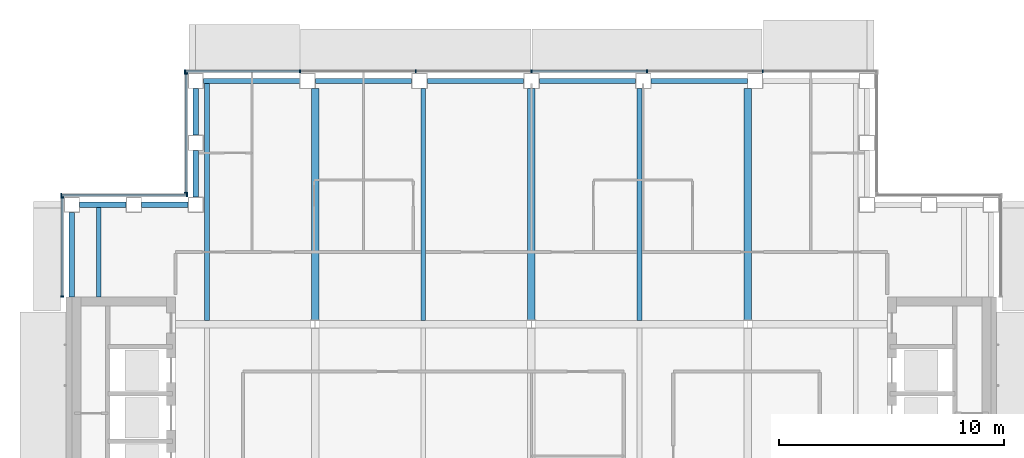
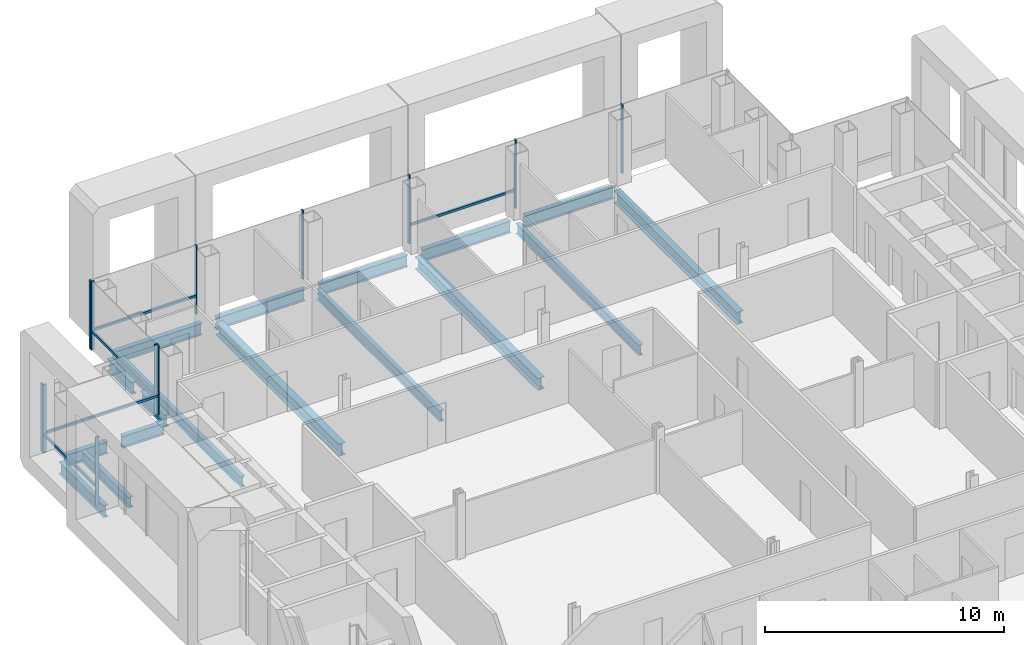
# One storey, part 6 of 19: 17 beams, 17 members, 4 elements without a shape of their own.
"""IFC4 building model written with IfcOpenShell, lengths in metres."""

from ifc_helpers import new_model, si_unit, direction, frame, origin, origin_2d, place, context, subcontext, project, spatial, rectangle, i_section, extrude, material, material_profile, profile_set, type_object, element, aggregate, save


model = new_model("IFC4")

# Units and contexts
model_context = context("Model", 3, precision=1e-05, world=origin(), true_north=direction((0.0, 1.0)))
body_context = subcontext(model_context, "Body", "Model", "MODEL_VIEW")
ifc_project = project(units=[si_unit("LENGTHUNIT", "METRE"), si_unit("AREAUNIT", "SQUARE_METRE"), si_unit("VOLUMEUNIT", "CUBIC_METRE"), si_unit("PLANEANGLEUNIT", "RADIAN"), si_unit("MASSUNIT", "GRAM", prefix="KILO")], contexts=[model_context])

# Site, building, storey
site_placement = place(None, origin())
site = spatial("IfcSite", under=ifc_project, at=site_placement, CompositionType="ELEMENT")
building_placement = place(site_placement, origin())
building = spatial("IfcBuilding", under=site, at=building_placement, Name="Cobrizo Arcos Hotel Tower", CompositionType="ELEMENT")
storey_placement = place(building_placement, frame((0.0, 0.0, 198.0)))
storey = spatial("IfcBuildingStorey", under=building, at=storey_placement, Name="L51", CompositionType="ELEMENT", Elevation=198.0)

# Curtain wall, members
ifc_material_1 = material(Name="Aluminium 6063-T6 anodised bronze", Category="aluminium")
curtain_wall_type = type_object("IfcCurtainWallType", Name="CW-A guest facade", PredefinedType="NOTDEFINED", material=ifc_material_1)
curtain_wall_1_placement = place(storey_placement, origin())
curtain_wall_1 = element("IfcCurtainWall", 1, at=curtain_wall_1_placement, inside=storey, type_object=curtain_wall_type, Name="CW-A L51 N face", PredefinedType="NOTDEFINED")
ifc_material_profile_1 = material_profile(ifc_material_1, rectangle(XDim=0.14990234375, YDim=0.06005859375, at=origin_2d()), Name="CW-A mullion 150x60")
ifc_profile_set_1 = profile_set([ifc_material_profile_1], Name="Aluminium 6063-T6 anodised bronze")
member_type_1 = type_object("IfcMemberType", Name="CW-A mullion 150x60", PredefinedType="MULLION", material=ifc_profile_set_1)
member_1_placement = place(storey_placement, frame((10.2666015625, 20.824951171875, 0.0), z_axis=(0.0, 0.0, 1.0), x_axis=(0.0, 1.0, 0.0)))
member_1 = element("IfcMember", 2, at=member_1_placement, type_object=member_type_1, Name="CW-A mullion 2", PredefinedType="MULLION", context=body_context, shape_type="SweptSolid", body=[
    extrude(rectangle(XDim=0.14990234375, YDim=0.06005859375, at=origin_2d()), origin(), (0.0, 0.0, 1.0), 3.5),
])
member_2_placement = place(storey_placement, frame((5.13330078125, 20.824951171875, 0.0), z_axis=(0.0, 0.0, 1.0), x_axis=(0.0, 1.0, 0.0)))
member_2 = element("IfcMember", 3, at=member_2_placement, type_object=member_type_1, Name="CW-A mullion 3", PredefinedType="MULLION", context=body_context, shape_type="SweptSolid", body=[
    extrude(rectangle(XDim=0.14990234375, YDim=0.06005859375, at=origin_2d()), origin(), (0.0, 0.0, 1.0), 3.5),
])
member_3_placement = place(storey_placement, frame((0.0, 20.824951171875, 0.0), z_axis=(0.0, 0.0, 1.0), x_axis=(0.0, 1.0, 0.0)))
member_3 = element("IfcMember", 4, at=member_3_placement, type_object=member_type_1, Name="CW-A mullion 4", PredefinedType="MULLION", context=body_context, shape_type="SweptSolid", body=[
    extrude(rectangle(XDim=0.14990234375, YDim=0.06005859375, at=origin_2d()), origin(), (0.0, 0.0, 1.0), 3.5),
])
member_4_placement = place(storey_placement, frame((-5.13330078125, 20.824951171875, 0.0), z_axis=(0.0, 0.0, 1.0), x_axis=(0.0, 1.0, 0.0)))
member_4 = element("IfcMember", 5, at=member_4_placement, type_object=member_type_1, Name="CW-A mullion 5", PredefinedType="MULLION", context=body_context, shape_type="SweptSolid", body=[
    extrude(rectangle(XDim=0.14990234375, YDim=0.06005859375, at=origin_2d()), origin(), (0.0, 0.0, 1.0), 3.5),
])
member_5_placement = place(storey_placement, frame((-10.2666015625, 20.824951171875, 0.0), z_axis=(0.0, 0.0, 1.0), x_axis=(0.0, 1.0, 0.0)))
member_5 = element("IfcMember", 6, at=member_5_placement, type_object=member_type_1, Name="CW-A mullion 6", PredefinedType="MULLION", context=body_context, shape_type="SweptSolid", body=[
    extrude(rectangle(XDim=0.14990234375, YDim=0.06005859375, at=origin_2d()), origin(), (0.0, 0.0, 1.0), 3.5),
])
member_6_placement = place(storey_placement, frame((-15.3701171875, 20.824951171875, 0.0), z_axis=(0.0, 0.0, 1.0), x_axis=(0.0, 1.0, 0.0)))
member_6 = element("IfcMember", 7, at=member_6_placement, type_object=member_type_1, Name="CW-A mullion 7", PredefinedType="MULLION", context=body_context, shape_type="SweptSolid", body=[
    extrude(rectangle(XDim=0.14990234375, YDim=0.06005859375, at=origin_2d()), origin(), (0.0, 0.0, 1.0), 3.5),
])

curtain_wall_2_placement = place(storey_placement, origin())
curtain_wall_2 = element("IfcCurtainWall", 8, at=curtain_wall_2_placement, inside=storey, type_object=curtain_wall_type, Name="CW-A L51 W face", PredefinedType="NOTDEFINED")
member_7_placement = place(storey_placement, frame((-15.324951171875, 20.719970703125, 0.0), z_axis=(0.0, 0.0, 1.0), x_axis=(-1.0, 0.0, 0.0)))
member_7 = element("IfcMember", 9, at=member_7_placement, type_object=member_type_1, Name="CW-A mullion 1", PredefinedType="MULLION", context=body_context, shape_type="SweptSolid", body=[
    extrude(rectangle(XDim=0.14990234375, YDim=0.06005859375, at=origin_2d()), origin(), (0.0, 0.0, 1.0), 3.5),
])
member_8_placement = place(storey_placement, frame((-15.324951171875, 15.429931640625, 0.0), z_axis=(0.0, 0.0, 1.0), x_axis=(-1.0, 0.0, 0.0)))
member_8 = element("IfcMember", 10, at=member_8_placement, type_object=member_type_1, Name="CW-A mullion 2", PredefinedType="MULLION", context=body_context, shape_type="SweptSolid", body=[
    extrude(rectangle(XDim=0.14990234375, YDim=0.06005859375, at=origin_2d()), origin(), (0.0, 0.0, 1.0), 3.5),
])

curtain_wall_3_placement = place(storey_placement, origin())
curtain_wall_3 = element("IfcCurtainWall", 11, at=curtain_wall_3_placement, inside=storey, type_object=curtain_wall_type, Name="CW-A L51 N face", PredefinedType="NOTDEFINED")
member_9_placement = place(storey_placement, frame((-15.280029296875, 15.324951171875, 0.0), z_axis=(0.0, 0.0, 1.0), x_axis=(0.0, 1.0, 0.0)))
member_9 = element("IfcMember", 12, at=member_9_placement, type_object=member_type_1, Name="CW-A mullion 1", PredefinedType="MULLION", context=body_context, shape_type="SweptSolid", body=[
    extrude(rectangle(XDim=0.14990234375, YDim=0.06005859375, at=origin_2d()), origin(), (0.0, 0.0, 1.0), 3.5),
])
member_10_placement = place(storey_placement, frame((-20.8701171875, 15.324951171875, 0.0), z_axis=(0.0, 0.0, 1.0), x_axis=(0.0, 1.0, 0.0)))
member_10 = element("IfcMember", 13, at=member_10_placement, type_object=member_type_1, Name="CW-A mullion 2", PredefinedType="MULLION", context=body_context, shape_type="SweptSolid", body=[
    extrude(rectangle(XDim=0.14990234375, YDim=0.06005859375, at=origin_2d()), origin(), (0.0, 0.0, 1.0), 3.5),
])

curtain_wall_4_placement = place(storey_placement, origin())
curtain_wall_4 = element("IfcCurtainWall", 14, at=curtain_wall_4_placement, inside=storey, type_object=curtain_wall_type, Name="CW-A L51 W face", PredefinedType="NOTDEFINED")
member_11_placement = place(storey_placement, frame((-20.824951171875, 15.219970703125, 0.0), z_axis=(0.0, 0.0, 1.0), x_axis=(-1.0, 0.0, 0.0)))
member_11 = element("IfcMember", 15, at=member_11_placement, type_object=member_type_1, Name="CW-A mullion 1", PredefinedType="MULLION", context=body_context, shape_type="SweptSolid", body=[
    extrude(rectangle(XDim=0.14990234375, YDim=0.06005859375, at=origin_2d()), origin(), (0.0, 0.0, 1.0), 3.5),
])
member_12_placement = place(storey_placement, frame((-20.824951171875, 10.830078125, 0.0), z_axis=(0.0, 0.0, 1.0), x_axis=(-1.0, 0.0, 0.0)))
member_12 = element("IfcMember", 16, at=member_12_placement, type_object=member_type_1, Name="CW-A mullion 2", PredefinedType="MULLION", context=body_context, shape_type="SweptSolid", body=[
    extrude(rectangle(XDim=0.14990234375, YDim=0.06005859375, at=origin_2d()), origin(), (0.0, 0.0, 1.0), 3.5),
])

# Member
ifc_material_profile_2 = material_profile(ifc_material_1, rectangle(XDim=0.10009765625, YDim=0.1201171875, at=origin_2d()), Name="CW-A transom 120x100")
ifc_profile_set_2 = profile_set([ifc_material_profile_2], Name="Aluminium 6063-T6 anodised bronze")
member_type_2 = type_object("IfcMemberType", Name="CW-A transom 120x100", PredefinedType="USERDEFINED", material=ifc_profile_set_2)
member_13_placement = place(storey_placement, frame((5.103271484375, 20.824951171875, 0.929931640625), z_axis=(-1.0, 0.0, 0.0), x_axis=(0.0, -1.0, 0.0)))
member_13 = element("IfcMember", 17, at=member_13_placement, type_object=member_type_2, Name="CW-A transom 1758", ObjectType="TRANSOM", PredefinedType="USERDEFINED", context=body_context, shape_type="SweptSolid", body=[
    extrude(rectangle(XDim=0.10009765625, YDim=0.1201171875, at=origin_2d()), origin(), (0.0, 0.0, 1.0), 5.0732421875),
])

member_14_placement = place(storey_placement, frame((-10.296630859375, 20.824951171875, 0.929931640625), z_axis=(-1.0, 0.0, 0.0), x_axis=(0.0, -1.0, 0.0)))
member_14 = element("IfcMember", 18, at=member_14_placement, type_object=member_type_2, Name="CW-A transom 1761", ObjectType="TRANSOM", PredefinedType="USERDEFINED", context=body_context, shape_type="SweptSolid", body=[
    extrude(rectangle(XDim=0.10009765625, YDim=0.1201171875, at=origin_2d()), origin(), (0.0, 0.0, 1.0), 5.04345703125),
])

aggregate(curtain_wall_1, [member_1, member_2, member_3, member_4, member_5, member_6, member_13, member_14])

member_15_placement = place(storey_placement, frame((-15.324951171875, 20.68994140625, 0.929931640625), z_axis=(0.0, -1.0, 0.0), x_axis=(1.0, 0.0, 0.0)))
member_15 = element("IfcMember", 19, at=member_15_placement, type_object=member_type_2, Name="CW-A transom 1762", ObjectType="TRANSOM", PredefinedType="USERDEFINED", context=body_context, shape_type="SweptSolid", body=[
    extrude(rectangle(XDim=0.10009765625, YDim=0.1201171875, at=origin_2d()), origin(), (0.0, 0.0, 1.0), 5.22998046875),
])

aggregate(curtain_wall_2, [member_7, member_8, member_15])

member_16_placement = place(storey_placement, frame((-15.31005859375, 15.324951171875, 0.929931640625), z_axis=(-1.0, 0.0, 0.0), x_axis=(0.0, -1.0, 0.0)))
member_16 = element("IfcMember", 20, at=member_16_placement, type_object=member_type_2, Name="CW-A transom 1763", ObjectType="TRANSOM", PredefinedType="USERDEFINED", context=body_context, shape_type="SweptSolid", body=[
    extrude(rectangle(XDim=0.10009765625, YDim=0.1201171875, at=origin_2d()), origin(), (0.0, 0.0, 1.0), 5.530029296875),
])

aggregate(curtain_wall_3, [member_9, member_10, member_16])

member_17_placement = place(storey_placement, frame((-20.824951171875, 15.18994140625, 0.929931640625), z_axis=(0.0, -1.0, 0.0), x_axis=(1.0, 0.0, 0.0)))
member_17 = element("IfcMember", 21, at=member_17_placement, type_object=member_type_2, Name="CW-A transom 1764", ObjectType="TRANSOM", PredefinedType="USERDEFINED", context=body_context, shape_type="SweptSolid", body=[
    extrude(rectangle(XDim=0.10009765625, YDim=0.1201171875, at=origin_2d()), origin(), (0.0, 0.0, 1.0), 4.329833984375),
])

aggregate(curtain_wall_4, [member_11, member_12, member_17])

# Beams
ifc_material_2 = material(Name="Steel ASTM A992 Grade 50", Category="steel")
ifc_material_profile_3 = material_profile(ifc_material_2, i_section(OverallWidth=0.209228515625, OverallDepth=0.533447265625, WebThickness=0.01025390625, FlangeThickness=0.015625, at=origin_2d()), Name="W21X62")
ifc_profile_set_3 = profile_set([ifc_material_profile_3], Name="Steel ASTM A992 Grade 50")
beam_type_1 = type_object("IfcBeamType", Name="W21X62 joist", PredefinedType="JOIST", material=ifc_profile_set_3)
beam_1_placement = place(storey_placement, frame((-19.199951171875, 10.81005859375, -0.416748046875), z_axis=(0.0, 1.0, 0.0), x_axis=(-1.0, 0.0, 0.0)))
element("IfcBeam", 22, at=beam_1_placement, inside=storey, type_object=beam_type_1, Name="Floor joist J1, L51, no. 002", PredefinedType="JOIST", context=body_context, shape_type="SweptSolid", body=[
    extrude(i_section(OverallWidth=0.209228515625, OverallDepth=0.533447265625, WebThickness=0.01025390625, FlangeThickness=0.015625, at=origin_2d()), origin(), (0.0, 0.0, 1.0), 4.0),
])
beam_2_placement = place(storey_placement, frame((-14.39990234375, 9.763916015625, -0.416748046875), z_axis=(0.0, 1.0, 0.0), x_axis=(-1.0, 0.0, 0.0)))
element("IfcBeam", 23, at=beam_2_placement, inside=storey, type_object=beam_type_1, Name="Floor joist J1, L51, no. 006", PredefinedType="JOIST", context=body_context, shape_type="SweptSolid", body=[
    extrude(i_section(OverallWidth=0.209228515625, OverallDepth=0.533447265625, WebThickness=0.01025390625, FlangeThickness=0.015625, at=origin_2d()), origin(), (0.0, 0.0, 1.0), 10.546142578125),
])
for number, where, z_axis, x_axis, name in (
    (24, (-4.800048828125, 9.763916015625, -0.416748046875), (0.0, 1.0, 0.0), (-1.0, 0.0, 0.0), "Floor joist J1, L51, no. 010"),
    (25, (4.800048828125, 9.763916015625, -0.416748046875), (0.0, 1.0, 0.0), (-1.0, 0.0, 0.0), "Floor joist J1, L51, no. 014"),
):
    element("IfcBeam", number, at=place(storey_placement, frame(where, z_axis=z_axis, x_axis=x_axis)), inside=storey, type_object=beam_type_1, Name=name, PredefinedType="JOIST", context=body_context, shape_type="SweptSolid", body=[
        extrude(i_section(OverallWidth=0.209228515625, OverallDepth=0.533447265625, WebThickness=0.01025390625, FlangeThickness=0.015625, at=origin_2d()), origin(), (0.0, 0.0, 1.0), 10.2861328125),
    ])
ifc_material_profile_4 = material_profile(ifc_material_2, i_section(OverallWidth=0.32763671875, OverallDepth=0.622314453125, WebThickness=0.015380859375, FlangeThickness=0.0244140625, at=origin_2d()), Name="W24X131")
ifc_profile_set_4 = profile_set([ifc_material_profile_4], Name="Steel ASTM A992 Grade 50")
beam_type_2 = type_object("IfcBeamType", Name="W24X131 girder", PredefinedType="BEAM", material=ifc_profile_set_4)
for number, where, z_axis, x_axis, name in (
    (26, (-9.60009765625, 9.78662109375, -0.461181640625), (0.0, 1.0, 0.0), (-1.0, 0.0, 0.0), "Floor girder G1, L51, no. 016"),
    (27, (0.0, 9.78662109375, -0.461181640625), (0.0, 1.0, 0.0), (-1.0, 0.0, 0.0), "Floor girder G1, L51, no. 020"),
    (28, (9.60009765625, 9.78662109375, -0.461181640625), (0.0, 1.0, 0.0), (-1.0, 0.0, 0.0), "Floor girder G1, L51, no. 024"),
):
    element("IfcBeam", number, at=place(storey_placement, frame(where, z_axis=z_axis, x_axis=x_axis)), inside=storey, type_object=beam_type_2, Name=name, PredefinedType="BEAM", context=body_context, shape_type="SweptSolid", body=[
        extrude(i_section(OverallWidth=0.32763671875, OverallDepth=0.622314453125, WebThickness=0.015380859375, FlangeThickness=0.0244140625, at=origin_2d()), origin(), (0.0, 0.0, 1.0), 10.263427734375),
    ])
ifc_material_profile_5 = material_profile(ifc_material_2, i_section(OverallWidth=0.228271484375, OverallDepth=0.607177734375, WebThickness=0.01123046875, FlangeThickness=0.017333984375, at=origin_2d()), Name="W24X76")
ifc_profile_set_5 = profile_set([ifc_material_profile_5], Name="Steel ASTM A992 Grade 50")
beam_type_3 = type_object("IfcBeamType", Name="W24X76 spandrel", PredefinedType="SPANDREL", material=ifc_profile_set_5)
beam_3_placement = place(storey_placement, frame((9.5830078125, 20.39990234375, -0.45361328125), z_axis=(-1.0, 0.0, 0.0), x_axis=(0.0, -1.0, 0.0)))
element("IfcBeam", 29, at=beam_3_placement, inside=storey, type_object=beam_type_3, Name="Spandrel beam W24X76, L51, no. 018", PredefinedType="SPANDREL", context=body_context, shape_type="SweptSolid", body=[
    extrude(i_section(OverallWidth=0.228271484375, OverallDepth=0.607177734375, WebThickness=0.01123046875, FlangeThickness=0.017333984375, at=origin_2d()), origin(), (0.0, 0.0, 1.0), 4.26611328125),
])
for number, where, z_axis, x_axis, name in (
    (30, (4.616943359375, 20.39990234375, -0.45361328125), (-1.0, 0.0, 0.0), (0.0, -1.0, 0.0), "Spandrel beam W24X76, L51, no. 019"),
    (31, (-0.35009765625, 20.39990234375, -0.45361328125), (-1.0, 0.0, 0.0), (0.0, -1.0, 0.0), "Spandrel beam W24X76, L51, no. 020"),
):
    element("IfcBeam", number, at=place(storey_placement, frame(where, z_axis=z_axis, x_axis=x_axis)), inside=storey, type_object=beam_type_3, Name=name, PredefinedType="SPANDREL", context=body_context, shape_type="SweptSolid", body=[
        extrude(i_section(OverallWidth=0.228271484375, OverallDepth=0.607177734375, WebThickness=0.01123046875, FlangeThickness=0.017333984375, at=origin_2d()), origin(), (0.0, 0.0, 1.0), 4.266845703125),
    ])
beam_4_placement = place(storey_placement, frame((-5.31689453125, 20.39990234375, -0.45361328125), z_axis=(-1.0, 0.0, 0.0), x_axis=(0.0, -1.0, 0.0)))
element("IfcBeam", 32, at=beam_4_placement, inside=storey, type_object=beam_type_3, Name="Spandrel beam W24X76, L51, no. 021", PredefinedType="SPANDREL", context=body_context, shape_type="SweptSolid", body=[
    extrude(i_section(OverallWidth=0.228271484375, OverallDepth=0.607177734375, WebThickness=0.01123046875, FlangeThickness=0.017333984375, at=origin_2d()), origin(), (0.0, 0.0, 1.0), 4.26611328125),
])
beam_5_placement = place(storey_placement, frame((-10.282958984375, 20.39990234375, -0.45361328125), z_axis=(-1.0, 0.0, 0.0), x_axis=(0.0, -1.0, 0.0)))
element("IfcBeam", 33, at=beam_5_placement, inside=storey, type_object=beam_type_3, Name="Spandrel beam W24X76, L51, no. 022", PredefinedType="SPANDREL", context=body_context, shape_type="SweptSolid", body=[
    extrude(i_section(OverallWidth=0.228271484375, OverallDepth=0.607177734375, WebThickness=0.01123046875, FlangeThickness=0.017333984375, at=origin_2d()), origin(), (0.0, 0.0, 1.0), 4.26708984375),
])
for number, where, z_axis, x_axis, name in (
    (34, (-14.89990234375, 20.050048828125, -0.45361328125), (0.0, -1.0, 0.0), (1.0, 0.0, 0.0), "Spandrel beam W24X76, L51, no. 023"),
    (35, (-14.89990234375, 17.300048828125, -0.45361328125), (0.0, -1.0, 0.0), (1.0, 0.0, 0.0), "Spandrel beam W24X76, L51, no. 024"),
    (36, (-15.25, 14.89990234375, -0.45361328125), (-1.0, 0.0, 0.0), (0.0, -1.0, 0.0), "Spandrel beam W24X76, L51, no. 025"),
    (37, (-18.0, 14.89990234375, -0.45361328125), (-1.0, 0.0, 0.0), (0.0, -1.0, 0.0), "Spandrel beam W24X76, L51, no. 026"),
):
    element("IfcBeam", number, at=place(storey_placement, frame(where, z_axis=z_axis, x_axis=x_axis)), inside=storey, type_object=beam_type_3, Name=name, PredefinedType="SPANDREL", context=body_context, shape_type="SweptSolid", body=[
        extrude(i_section(OverallWidth=0.228271484375, OverallDepth=0.607177734375, WebThickness=0.01123046875, FlangeThickness=0.017333984375, at=origin_2d()), origin(), (0.0, 0.0, 1.0), 2.050048828125),
    ])
beam_6_placement = place(storey_placement, frame((-20.39990234375, 14.550048828125, -0.45361328125), z_axis=(0.0, -1.0, 0.0), x_axis=(1.0, 0.0, 0.0)))
element("IfcBeam", 38, at=beam_6_placement, inside=storey, type_object=beam_type_3, Name="Spandrel beam W24X76, L51, no. 027", PredefinedType="SPANDREL", context=body_context, shape_type="SweptSolid", body=[
    extrude(i_section(OverallWidth=0.228271484375, OverallDepth=0.607177734375, WebThickness=0.01123046875, FlangeThickness=0.017333984375, at=origin_2d()), origin(), (0.0, 0.0, 1.0), 3.739990234375),
])

save(model, "model.ifc")
